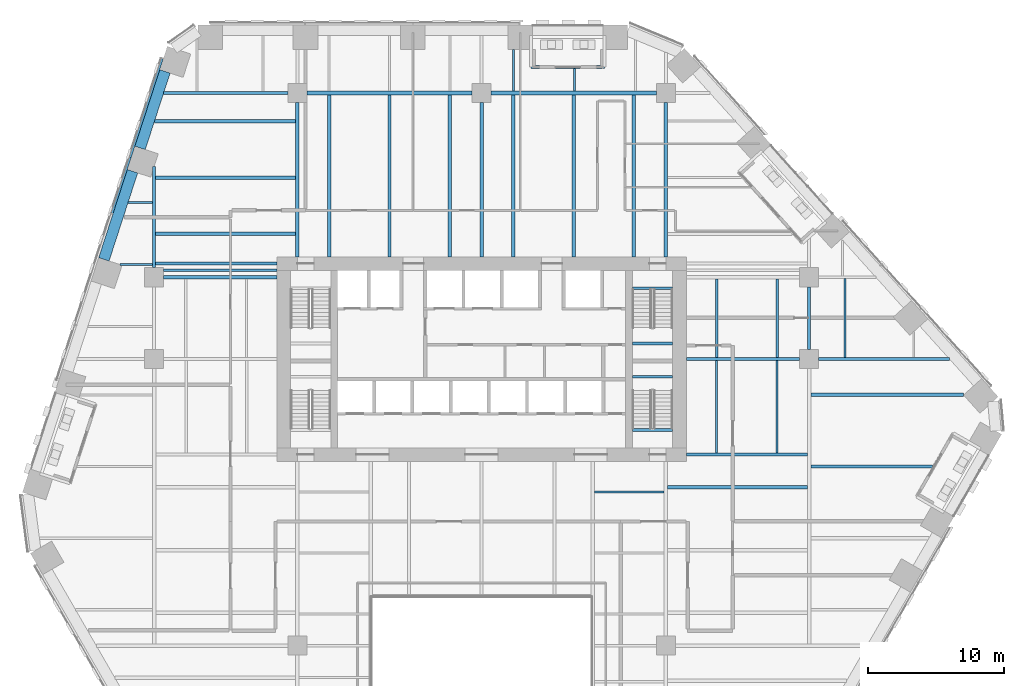
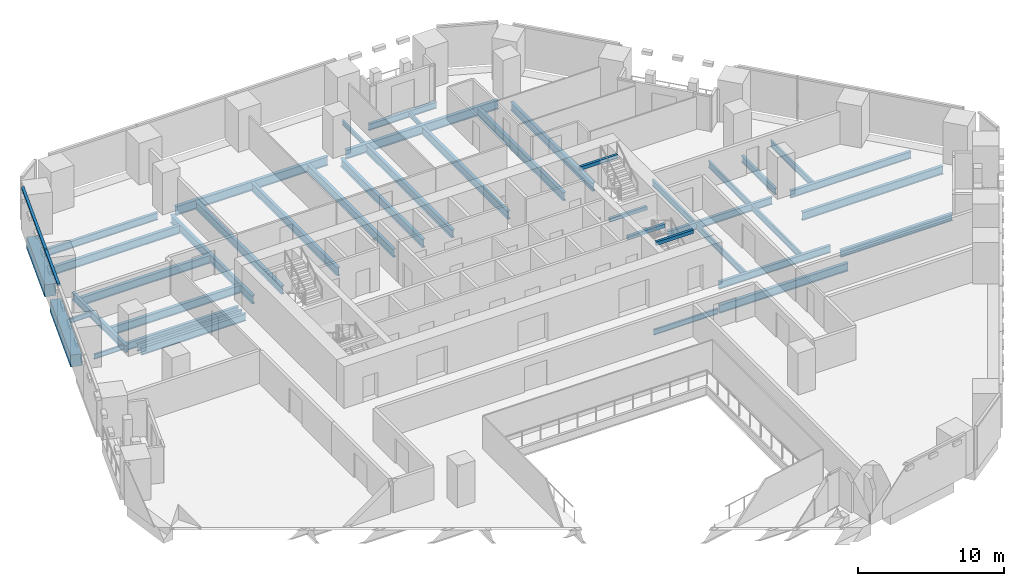
# One storey, part 10 of 31: 43 beams, 2 members, 1 element without a shape of its own.
"""IFC4 building model written with IfcOpenShell, lengths in metres."""

from ifc_helpers import new_model, si_unit, direction, frame, origin, origin_2d, place, context, subcontext, project, spatial, rectangle, i_section, extrude, material, layer, layer_set, material_profile, profile_set, type_object, element, aggregate, save


model = new_model("IFC4")

# Units and contexts
model_context = context("Model", 3, precision=1e-05, world=origin(), true_north=direction((0.0, 1.0)))
body_context = subcontext(model_context, "Body", "Model", "MODEL_VIEW")
ifc_project = project(units=[si_unit("LENGTHUNIT", "METRE"), si_unit("AREAUNIT", "SQUARE_METRE"), si_unit("VOLUMEUNIT", "CUBIC_METRE"), si_unit("PLANEANGLEUNIT", "RADIAN"), si_unit("MASSUNIT", "GRAM", prefix="KILO")], contexts=[model_context])

# Site, building, storey
site_placement = place(None, origin())
site = spatial("IfcSite", under=ifc_project, at=site_placement, CompositionType="ELEMENT")
building_placement = place(site_placement, origin())
building = spatial("IfcBuilding", under=site, at=building_placement, Name="Isthmus Gate Tower", CompositionType="ELEMENT")
storey_placement = place(building_placement, frame((0.0, 0.0, 39.64990234375)))
storey = spatial("IfcBuildingStorey", under=building, at=storey_placement, Name="L07", CompositionType="ELEMENT", Elevation=39.64990234375)

# Curtain wall, members
ifc_material_1 = material(Name="Aluminium, pale champagne anodised", Category="aluminium")
ifc_layer = layer(ifc_material_1, 0.199951171875)
ifc_layer_set = layer_set([ifc_layer], Name="CW-1 UNITISED CURTAIN WALL 200 DEEP")
curtain_wall_type = type_object("IfcCurtainWallType", Name="CW-1 UNITISED CURTAIN WALL 200 DEEP", PredefinedType="NOTDEFINED", material=ifc_layer_set)
curtain_wall_placement = place(storey_placement, origin())
curtain_wall = element("IfcCurtainWall", 1, at=curtain_wall_placement, inside=storey, type_object=curtain_wall_type, Name="CW-1 NW L07", PredefinedType="NOTDEFINED")
ifc_material_2 = material(Name="Aluminium, pale champagne anodised", Category="aluminium")
ifc_material_profile_1 = material_profile(ifc_material_2, rectangle(XDim=0.199951171875, YDim=0.14990234375, at=origin_2d()), Name="200x150")
ifc_profile_set_1 = profile_set([ifc_material_profile_1], Name="Aluminium, pale champagne anodised")
member_type = type_object("IfcMemberType", Name="CW-1 TRANSOM 200 X 150", PredefinedType="USERDEFINED", material=ifc_profile_set_1)
member_1_placement = place(storey_placement, frame((-23.4208984375, 29.532958984375, 3.5751953125), z_axis=(-0.309018780445, -0.951055935964, 0.0), x_axis=(0.951055935964, -0.309018780445, 0.0)))
member_1 = element("IfcMember", 2, at=member_1_placement, type_object=member_type, Name="CW-1 transom", ObjectType="TRANSOM", PredefinedType="USERDEFINED", context=body_context, shape_type="SweptSolid", body=[
    extrude(rectangle(XDim=0.199951171875, YDim=0.14990234375, at=origin_2d()), origin(), (0.0, 0.0, 1.0), 7.629638671875),
])
member_2_placement = place(storey_placement, frame((-25.778564453125, 22.27685546875, 3.5751953125), z_axis=(-0.309021801109, -0.951054954479, 0.0), x_axis=(0.951054954479, -0.309021801109, 0.0)))
member_2 = element("IfcMember", 3, at=member_2_placement, type_object=member_type, Name="CW-1 transom", ObjectType="TRANSOM", PredefinedType="USERDEFINED", context=body_context, shape_type="SweptSolid", body=[
    extrude(rectangle(XDim=0.199951171875, YDim=0.14990234375, at=origin_2d()), origin(), (0.0, 0.0, 1.0), 4.294677734375),
])
aggregate(curtain_wall, [member_1, member_2])

# Beams
ifc_material_3 = material(Name="Concrete f'c 70 MPa", Category="concrete")
ifc_material_profile_2 = material_profile(ifc_material_3, rectangle(XDim=0.800048828125, YDim=1.0, at=origin_2d()), Name="RC 800X1000")
ifc_profile_set_2 = profile_set([ifc_material_profile_2], Name="Concrete f'c 70 MPa")
beam_type_1 = type_object("IfcBeamType", Name="RC SPANDREL 800 X 1000", PredefinedType="SPANDREL", material=ifc_profile_set_2)
beam_1_placement = place(storey_placement, frame((-27.67919921875, 14.809326171875, -0.5), z_axis=(0.309034033576, 0.951050979754, 0.0), x_axis=(-0.951050979754, 0.309034033576, 0.0)))
element("IfcBeam", 4, at=beam_1_placement, inside=storey, type_object=beam_type_1, Name="str-spandrel-L07-20", PredefinedType="SPANDREL", context=body_context, shape_type="SweptSolid", body=[
    extrude(rectangle(XDim=0.800048828125, YDim=1.0, at=origin_2d()), origin(), (0.0, 0.0, 1.0), 6.789306640625),
])
beam_2_placement = place(storey_placement, frame((-25.02490234375, 22.978271484375, -0.5), z_axis=(0.309042953764, 0.951048081187, 0.0), x_axis=(-0.951048081187, 0.309042953764, 0.0)))
element("IfcBeam", 5, at=beam_2_placement, inside=storey, type_object=beam_type_1, Name="str-spandrel-L07-21", PredefinedType="SPANDREL", context=body_context, shape_type="SweptSolid", body=[
    extrude(rectangle(XDim=0.800048828125, YDim=1.0, at=origin_2d()), origin(), (0.0, 0.0, 1.0), 5.889404296875),
])
ifc_material_4 = material(Name="Concrete f'c 40 MPa", Category="concrete")
ifc_material_profile_3 = material_profile(ifc_material_4, rectangle(XDim=0.199951171875, YDim=0.300048828125, at=origin_2d()), Name="STAIR LANDING BEAM RC 200 X 300")
ifc_profile_set_3 = profile_set([ifc_material_profile_3], Name="Concrete f'c 40 MPa")
beam_type_2 = type_object("IfcBeamType", Name="STAIR LANDING BEAM RC 200 X 300", PredefinedType="BEAM", material=ifc_profile_set_3)
for number, where, z_axis, x_axis, name in (
    (6, (11.050048828125, 8.64990234375, 1.47509765625), (1.0, 0.0, 0.0), (0.0, 1.0, 0.0), "L07 ST2 landing beam 1"),
    (7, (11.050048828125, 12.7001953125, 3.35009765625), (1.0, 0.0, 0.0), (0.0, 1.0, 0.0), "L07 ST2 floor-edge seat beam"),
    (8, (11.050048828125, 6.199951171875, 1.47509765625), (1.0, 0.0, 0.0), (0.0, 1.0, 0.0), "L07 ST8 landing beam 1"),
    (9, (11.050048828125, 2.2998046875, 3.35009765625), (1.0, 0.0, 0.0), (0.0, 1.0, 0.0), "L07 ST8 floor-edge seat beam"),
):
    element("IfcBeam", number, at=place(storey_placement, frame(where, z_axis=z_axis, x_axis=x_axis)), inside=storey, type_object=beam_type_2, Name=name, PredefinedType="BEAM", context=body_context, shape_type="SweptSolid", body=[
        extrude(rectangle(XDim=0.199951171875, YDim=0.300048828125, at=origin_2d()), origin(), (0.0, 0.0, 1.0), 2.949951171875),
    ])
ifc_material_5 = material(Name="Structural steel ASTM A992 Gr 50", Category="steel")
ifc_material_profile_4 = material_profile(ifc_material_5, i_section(OverallWidth=0.1396484375, OverallDepth=0.4033203125, WebThickness=0.00634765625, FlangeThickness=0.010986328125, at=origin_2d()), Name="W16X31")
ifc_profile_set_4 = profile_set([ifc_material_profile_4], Name="Structural steel ASTM A992 Gr 50")
beam_type_3 = type_object("IfcBeamType", Name="STEEL FLOOR BEAM W16X31", PredefinedType="JOIST", material=ifc_profile_set_4)
beam_3_placement = place(storey_placement, frame((-26.503662109375, 14.427490234375, -0.3515625), z_axis=(1.0, 0.0, 0.0), x_axis=(0.0, 1.0, 0.0)))
element("IfcBeam", 10, at=beam_3_placement, inside=storey, type_object=beam_type_3, Name="str-beam-L07-02-01", PredefinedType="JOIST", context=body_context, shape_type="SweptSolid", body=[
    extrude(i_section(OverallWidth=0.1396484375, OverallDepth=0.4033203125, WebThickness=0.00634765625, FlangeThickness=0.010986328125, at=origin_2d()), origin(), (0.0, 0.0, 1.0), 2.389404296875),
])
beam_4_placement = place(storey_placement, frame((-25.90478515625, 18.975830078125, -0.3515625), z_axis=(1.0, 0.0, 0.0), x_axis=(0.0, 1.0, 0.0)))
element("IfcBeam", 11, at=beam_4_placement, inside=storey, type_object=beam_type_3, Name="str-beam-L07-02-02", PredefinedType="JOIST", context=body_context, shape_type="SweptSolid", body=[
    extrude(i_section(OverallWidth=0.1396484375, OverallDepth=0.4033203125, WebThickness=0.00634765625, FlangeThickness=0.010986328125, at=origin_2d()), origin(), (0.0, 0.0, 1.0), 1.79052734375),
])
beam_5_placement = place(storey_placement, frame((2.33740234375, 27.1318359375, -0.3515625), z_axis=(0.0, 1.0, 0.0), x_axis=(-1.0, 0.0, 0.0)))
element("IfcBeam", 12, at=beam_5_placement, inside=storey, type_object=beam_type_3, Name="str-beam-L07-24-00", PredefinedType="JOIST", context=body_context, shape_type="SweptSolid", body=[
    extrude(i_section(OverallWidth=0.1396484375, OverallDepth=0.4033203125, WebThickness=0.00634765625, FlangeThickness=0.010986328125, at=origin_2d()), origin(), (0.0, 0.0, 1.0), 3.068115234375),
])
beam_6_placement = place(storey_placement, frame((6.802490234375, 27.1318359375, -0.3515625), z_axis=(0.0, 1.0, 0.0), x_axis=(-1.0, 0.0, 0.0)))
element("IfcBeam", 13, at=beam_6_placement, inside=storey, type_object=beam_type_3, Name="str-beam-L07-24-01", PredefinedType="JOIST", context=body_context, shape_type="SweptSolid", body=[
    extrude(i_section(OverallWidth=0.1396484375, OverallDepth=0.4033203125, WebThickness=0.00634765625, FlangeThickness=0.010986328125, at=origin_2d()), origin(), (0.0, 0.0, 1.0), 1.65869140625),
])
ifc_material_6 = material(Name="Structural steel ASTM A992 Gr 50", Category="steel")
ifc_material_profile_5 = material_profile(ifc_material_6, i_section(OverallWidth=0.15234375, OverallDepth=0.45068359375, WebThickness=0.0078125, FlangeThickness=0.010986328125, at=origin_2d()), Name="W18X35")
ifc_profile_set_5 = profile_set([ifc_material_profile_5], Name="Structural steel ASTM A992 Gr 50")
beam_type_4 = type_object("IfcBeamType", Name="STEEL FLOOR BEAM W18X35", PredefinedType="JOIST", material=ifc_profile_set_5)
beam_7_placement = place(storey_placement, frame((8.263427734375, -2.232421875, -0.375244140625), z_axis=(1.0, 0.0, 0.0), x_axis=(0.0, 1.0, 0.0)))
element("IfcBeam", 14, at=beam_7_placement, inside=storey, type_object=beam_type_4, Name="str-beam-L07-27-02", PredefinedType="JOIST", context=body_context, shape_type="SweptSolid", body=[
    extrude(i_section(OverallWidth=0.15234375, OverallDepth=0.45068359375, WebThickness=0.0078125, FlangeThickness=0.010986328125, at=origin_2d()), origin(), (0.0, 0.0, 1.0), 5.104736328125),
])
ifc_material_7 = material(Name="Structural steel ASTM A992 Gr 50", Category="steel")
ifc_material_profile_6 = material_profile(ifc_material_7, i_section(OverallWidth=0.1650390625, OverallDepth=0.52392578125, WebThickness=0.009521484375, FlangeThickness=0.010986328125, at=origin_2d()), Name="W21X44")
ifc_profile_set_6 = profile_set([ifc_material_profile_6], Name="Structural steel ASTM A992 Gr 50")
beam_type_5 = type_object("IfcBeamType", Name="STEEL FLOOR BEAM W21X44", PredefinedType="JOIST", material=ifc_profile_set_6)
for number, where, z_axis, x_axis, name in (
    (15, (17.223876953125, 7.6142578125, -0.411865234375), (0.0, 1.0, 0.0), (-1.0, 0.0, 0.0), "str-beam-L07-35-00"),
    (16, (21.67138671875, 7.6142578125, -0.411865234375), (0.0, 1.0, 0.0), (-1.0, 0.0, 0.0), "str-beam-L07-35-01"),
):
    element("IfcBeam", number, at=place(storey_placement, frame(where, z_axis=z_axis, x_axis=x_axis)), inside=storey, type_object=beam_type_5, Name=name, PredefinedType="JOIST", context=body_context, shape_type="SweptSolid", body=[
        extrude(i_section(OverallWidth=0.1650390625, OverallDepth=0.52392578125, WebThickness=0.009521484375, FlangeThickness=0.010986328125, at=origin_2d()), origin(), (0.0, 0.0, 1.0), 5.771484375),
    ])
for number, where, z_axis, x_axis, name in (
    (17, (17.216552734375, 0.6142578125, -0.411865234375), (0.0, 1.0, 0.0), (-1.0, 0.0, 0.0), "str-beam-L07-36-00"),
    (18, (21.64990234375, 0.6142578125, -0.411865234375), (0.0, 1.0, 0.0), (-1.0, 0.0, 0.0), "str-beam-L07-36-01"),
):
    element("IfcBeam", number, at=place(storey_placement, frame(where, z_axis=z_axis, x_axis=x_axis)), inside=storey, type_object=beam_type_5, Name=name, PredefinedType="JOIST", context=body_context, shape_type="SweptSolid", body=[
        extrude(i_section(OverallWidth=0.1650390625, OverallDepth=0.52392578125, WebThickness=0.009521484375, FlangeThickness=0.010986328125, at=origin_2d()), origin(), (0.0, 0.0, 1.0), 6.771484375),
    ])
beam_8_placement = place(storey_placement, frame((26.625244140625, 7.6142578125, -0.411865234375), z_axis=(0.0, 1.0, 0.0), x_axis=(-1.0, 0.0, 0.0)))
element("IfcBeam", 19, at=beam_8_placement, inside=storey, type_object=beam_type_5, Name="str-beam-L07-40-00", PredefinedType="JOIST", context=body_context, shape_type="SweptSolid", body=[
    extrude(i_section(OverallWidth=0.1650390625, OverallDepth=0.52392578125, WebThickness=0.009521484375, FlangeThickness=0.010986328125, at=origin_2d()), origin(), (0.0, 0.0, 1.0), 5.781005859375),
])
ifc_material_8 = material(Name="Structural steel ASTM A992 Gr 50", Category="steel")
ifc_material_profile_7 = material_profile(ifc_material_8, i_section(OverallWidth=0.177734375, OverallDepth=0.60009765625, WebThickness=0.009521484375, FlangeThickness=0.0126953125, at=origin_2d()), Name="W24X55")
ifc_profile_set_7 = profile_set([ifc_material_profile_7], Name="Structural steel ASTM A992 Gr 50")
beam_type_6 = type_object("IfcBeamType", Name="STEEL FLOOR BEAM W24X55", PredefinedType="JOIST", material=ifc_profile_set_7)
beam_9_placement = place(storey_placement, frame((-23.300048828125, 14.0, -0.449951171875), z_axis=(1.0, 0.0, 0.0), x_axis=(0.0, 1.0, 0.0)))
element("IfcBeam", 20, at=beam_9_placement, inside=storey, type_object=beam_type_6, Name="str-beam-L07-06-00", PredefinedType="JOIST", context=body_context, shape_type="SweptSolid", body=[
    extrude(i_section(OverallWidth=0.177734375, OverallDepth=0.60009765625, WebThickness=0.009521484375, FlangeThickness=0.0126953125, at=origin_2d()), origin(), (0.0, 0.0, 1.0), 8.300048828125),
])
ifc_material_9 = material(Name="Structural steel ASTM A992 Gr 50", Category="steel")
ifc_material_profile_8 = material_profile(ifc_material_9, i_section(OverallWidth=0.228515625, OverallDepth=0.603271484375, WebThickness=0.010986328125, FlangeThickness=0.014404296875, at=origin_2d()), Name="W24X68")
ifc_profile_set_8 = profile_set([ifc_material_profile_8], Name="Structural steel ASTM A992 Gr 50")
beam_type_7 = type_object("IfcBeamType", Name="STEEL FLOOR BEAM W24X68", PredefinedType="JOIST", material=ifc_profile_set_8)
beam_10_placement = place(storey_placement, frame((24.13330078125, -0.375, -0.451416015625), z_axis=(1.0, 0.0, 0.0), x_axis=(0.0, 1.0, 0.0)))
element("IfcBeam", 21, at=beam_10_placement, inside=storey, type_object=beam_type_7, Name="str-beam-L07-41-02", PredefinedType="JOIST", context=body_context, shape_type="SweptSolid", body=[
    extrude(i_section(OverallWidth=0.228515625, OverallDepth=0.603271484375, WebThickness=0.010986328125, FlangeThickness=0.014404296875, at=origin_2d()), origin(), (0.0, 0.0, 1.0), 8.89453125),
])
ifc_material_10 = material(Name="Structural steel ASTM A992 Gr 50", Category="steel")
ifc_material_profile_9 = material_profile(ifc_material_10, i_section(OverallWidth=0.25390625, OverallDepth=0.679443359375, WebThickness=0.010986328125, FlangeThickness=0.015869140625, at=origin_2d()), Name="W27X84")
ifc_profile_set_9 = profile_set([ifc_material_profile_9], Name="Structural steel ASTM A992 Gr 50")
beam_type_8 = type_object("IfcBeamType", Name="STEEL FLOOR BEAM W27X84", PredefinedType="JOIST", material=ifc_profile_set_9)
for number, where, z_axis, x_axis, name in (
    (22, (-23.8857421875, 16.678466796875, -0.489501953125), (1.0, 0.0, 0.0), (0.0, 1.0, 0.0), "str-beam-L07-07-00"),
    (23, (-23.8857421875, 20.80712890625, -0.489501953125), (1.0, 0.0, 0.0), (0.0, 1.0, 0.0), "str-beam-L07-07-01"),
):
    element("IfcBeam", number, at=place(storey_placement, frame(where, z_axis=z_axis, x_axis=x_axis)), inside=storey, type_object=beam_type_8, Name=name, PredefinedType="JOIST", context=body_context, shape_type="SweptSolid", body=[
        extrude(i_section(OverallWidth=0.25390625, OverallDepth=0.679443359375, WebThickness=0.010986328125, FlangeThickness=0.015869140625, at=origin_2d()), origin(), (0.0, 0.0, 1.0), 10.2587890625),
    ])
beam_11_placement = place(storey_placement, frame((-23.96826171875, 24.935791015625, -0.489501953125), z_axis=(1.0, 0.0, 0.0), x_axis=(0.0, 1.0, 0.0)))
element("IfcBeam", 24, at=beam_11_placement, inside=storey, type_object=beam_type_8, Name="str-beam-L07-07-02", PredefinedType="JOIST", context=body_context, shape_type="SweptSolid", body=[
    extrude(i_section(OverallWidth=0.25390625, OverallDepth=0.679443359375, WebThickness=0.010986328125, FlangeThickness=0.015869140625, at=origin_2d()), origin(), (0.0, 0.0, 1.0), 10.34130859375),
])
for number, where, z_axis, x_axis, name in (
    (25, (-11.165283203125, 15.0, -0.489501953125), (0.0, 1.0, 0.0), (-1.0, 0.0, 0.0), "str-beam-L07-15-00"),
    (26, (-6.75, 15.0, -0.489501953125), (0.0, 1.0, 0.0), (-1.0, 0.0, 0.0), "str-beam-L07-15-01"),
    (27, (-2.334716796875, 15.0, -0.489501953125), (0.0, 1.0, 0.0), (-1.0, 0.0, 0.0), "str-beam-L07-15-02"),
    (28, (2.334716796875, 15.0, -0.489501953125), (0.0, 1.0, 0.0), (-1.0, 0.0, 0.0), "str-beam-L07-25-00"),
    (29, (6.75, 15.0, -0.489501953125), (0.0, 1.0, 0.0), (-1.0, 0.0, 0.0), "str-beam-L07-25-01"),
    (30, (11.165283203125, 15.0, -0.489501953125), (0.0, 1.0, 0.0), (-1.0, 0.0, 0.0), "str-beam-L07-25-02"),
):
    element("IfcBeam", number, at=place(storey_placement, frame(where, z_axis=z_axis, x_axis=x_axis)), inside=storey, type_object=beam_type_8, Name=name, PredefinedType="JOIST", context=body_context, shape_type="SweptSolid", body=[
        extrude(i_section(OverallWidth=0.25390625, OverallDepth=0.679443359375, WebThickness=0.010986328125, FlangeThickness=0.015869140625, at=origin_2d()), origin(), (0.0, 0.0, 1.0), 11.8681640625),
    ])
beam_12_placement = place(storey_placement, frame((13.6318359375, -1.90625, -0.489501953125), z_axis=(1.0, 0.0, 0.0), x_axis=(0.0, 1.0, 0.0)))
element("IfcBeam", 31, at=beam_12_placement, inside=storey, type_object=beam_type_8, Name="str-beam-L07-32-02", PredefinedType="JOIST", context=body_context, shape_type="SweptSolid", body=[
    extrude(i_section(OverallWidth=0.25390625, OverallDepth=0.679443359375, WebThickness=0.010986328125, FlangeThickness=0.015869140625, at=origin_2d()), origin(), (0.0, 0.0, 1.0), 10.23486328125),
])
beam_13_placement = place(storey_placement, frame((24.13330078125, 4.875, -0.489501953125), z_axis=(1.0, 0.0, 0.0), x_axis=(0.0, 1.0, 0.0)))
element("IfcBeam", 32, at=beam_13_placement, inside=storey, type_object=beam_type_8, Name="str-beam-L07-41-03", PredefinedType="JOIST", context=body_context, shape_type="SweptSolid", body=[
    extrude(i_section(OverallWidth=0.25390625, OverallDepth=0.679443359375, WebThickness=0.010986328125, FlangeThickness=0.015869140625, at=origin_2d()), origin(), (0.0, 0.0, 1.0), 11.185302734375),
])
ifc_material_11 = material(Name="Structural steel ASTM A992 Gr 50", Category="steel")
ifc_material_profile_10 = material_profile(ifc_material_11, i_section(OverallWidth=0.20947265625, OverallDepth=0.533447265625, WebThickness=0.009521484375, FlangeThickness=0.015869140625, at=origin_2d()), Name="W21X62")
ifc_profile_set_10 = profile_set([ifc_material_profile_10], Name="Structural steel ASTM A992 Gr 50")
beam_type_9 = type_object("IfcBeamType", Name="STEEL GIRDER W21X62", PredefinedType="BEAM", material=ifc_profile_set_10)
beam_14_placement = place(storey_placement, frame((24.0, 8.199951171875, -0.41650390625), z_axis=(0.0, 1.0, 0.0), x_axis=(-1.0, 0.0, 0.0)))
element("IfcBeam", 33, at=beam_14_placement, inside=storey, type_object=beam_type_9, Name="str-girder-L07-36", PredefinedType="BEAM", context=body_context, shape_type="SweptSolid", body=[
    extrude(i_section(OverallWidth=0.20947265625, OverallDepth=0.533447265625, WebThickness=0.009521484375, FlangeThickness=0.015869140625, at=origin_2d()), origin(), (0.0, 0.0, 1.0), 4.60009765625),
])
ifc_material_12 = material(Name="Structural steel ASTM A992 Gr 50", Category="steel")
ifc_material_profile_11 = material_profile(ifc_material_12, i_section(OverallWidth=0.228515625, OverallDepth=0.603271484375, WebThickness=0.010986328125, FlangeThickness=0.014404296875, at=origin_2d()), Name="W24X68")
ifc_profile_set_11 = profile_set([ifc_material_profile_11], Name="Structural steel ASTM A992 Gr 50")
beam_type_10 = type_object("IfcBeamType", Name="STEEL GIRDER W24X68", PredefinedType="BEAM", material=ifc_profile_set_11)
beam_15_placement = place(storey_placement, frame((-24.0, 14.199951171875, -0.451416015625), z_axis=(0.0, 1.0, 0.0), x_axis=(-1.0, 0.0, 0.0)))
element("IfcBeam", 34, at=beam_15_placement, inside=storey, type_object=beam_type_10, Name="str-girder-L07-22", PredefinedType="BEAM", context=body_context, shape_type="SweptSolid", body=[
    extrude(i_section(OverallWidth=0.228515625, OverallDepth=0.603271484375, WebThickness=0.010986328125, FlangeThickness=0.014404296875, at=origin_2d()), origin(), (0.0, 0.0, 1.0), 7.402099609375),
])
ifc_material_13 = material(Name="Structural steel ASTM A992 Gr 50", Category="steel")
ifc_material_profile_12 = material_profile(ifc_material_13, i_section(OverallWidth=0.228515625, OverallDepth=0.6064453125, WebThickness=0.010986328125, FlangeThickness=0.017578125, at=origin_2d()), Name="W24X76")
ifc_profile_set_12 = profile_set([ifc_material_profile_12], Name="Structural steel ASTM A992 Gr 50")
beam_type_11 = type_object("IfcBeamType", Name="STEEL GIRDER W24X76", PredefinedType="BEAM", material=ifc_profile_set_12)
beam_16_placement = place(storey_placement, frame((15.0, 7.5, -0.453125), z_axis=(1.0, 0.0, 0.0), x_axis=(0.0, 1.0, 0.0)))
element("IfcBeam", 35, at=beam_16_placement, inside=storey, type_object=beam_type_11, Name="str-girder-L07-11", PredefinedType="BEAM", context=body_context, shape_type="SweptSolid", body=[
    extrude(i_section(OverallWidth=0.228515625, OverallDepth=0.6064453125, WebThickness=0.010986328125, FlangeThickness=0.017578125, at=origin_2d()), origin(), (0.0, 0.0, 1.0), 8.300048828125),
])
beam_17_placement = place(storey_placement, frame((24.699951171875, 7.5, -0.453125), z_axis=(1.0, 0.0, 0.0), x_axis=(0.0, 1.0, 0.0)))
element("IfcBeam", 36, at=beam_17_placement, inside=storey, type_object=beam_type_11, Name="str-girder-L07-12", PredefinedType="BEAM", context=body_context, shape_type="SweptSolid", body=[
    extrude(i_section(OverallWidth=0.228515625, OverallDepth=0.6064453125, WebThickness=0.010986328125, FlangeThickness=0.017578125, at=origin_2d()), origin(), (0.0, 0.0, 1.0), 9.58984375),
])
beam_18_placement = place(storey_placement, frame((-23.300048828125, 13.5, -0.453125), z_axis=(1.0, 0.0, 0.0), x_axis=(0.0, 1.0, 0.0)))
element("IfcBeam", 37, at=beam_18_placement, inside=storey, type_object=beam_type_11, Name="str-girder-L07-13", PredefinedType="BEAM", context=body_context, shape_type="SweptSolid", body=[
    extrude(i_section(OverallWidth=0.228515625, OverallDepth=0.6064453125, WebThickness=0.010986328125, FlangeThickness=0.017578125, at=origin_2d()), origin(), (0.0, 0.0, 1.0), 8.300048828125),
])
beam_19_placement = place(storey_placement, frame((-23.297607421875, 27.0, -0.453125), z_axis=(1.0, 0.0, 0.0), x_axis=(0.0, 1.0, 0.0)))
element("IfcBeam", 38, at=beam_19_placement, inside=storey, type_object=beam_type_11, Name="str-girder-L07-16", PredefinedType="BEAM", context=body_context, shape_type="SweptSolid", body=[
    extrude(i_section(OverallWidth=0.228515625, OverallDepth=0.6064453125, WebThickness=0.010986328125, FlangeThickness=0.017578125, at=origin_2d()), origin(), (0.0, 0.0, 1.0), 9.09765625),
])
beam_20_placement = place(storey_placement, frame((15.0, 0.5, -0.453125), z_axis=(1.0, 0.0, 0.0), x_axis=(0.0, 1.0, 0.0)))
element("IfcBeam", 39, at=beam_20_placement, inside=storey, type_object=beam_type_11, Name="str-girder-L07-39", PredefinedType="BEAM", context=body_context, shape_type="SweptSolid", body=[
    extrude(i_section(OverallWidth=0.228515625, OverallDepth=0.6064453125, WebThickness=0.010986328125, FlangeThickness=0.017578125, at=origin_2d()), origin(), (0.0, 0.0, 1.0), 8.86669921875),
])
beam_21_placement = place(storey_placement, frame((-15.0, 14.5, -0.453125), z_axis=(-1.0, 0.0, 0.0), x_axis=(0.0, -1.0, 0.0)))
element("IfcBeam", 40, at=beam_21_placement, inside=storey, type_object=beam_type_11, Name="str-girder-L07-40", PredefinedType="BEAM", context=body_context, shape_type="SweptSolid", body=[
    extrude(i_section(OverallWidth=0.228515625, OverallDepth=0.6064453125, WebThickness=0.010986328125, FlangeThickness=0.017578125, at=origin_2d()), origin(), (0.0, 0.0, 1.0), 8.8857421875),
])
ifc_material_14 = material(Name="Structural steel ASTM A992 Gr 50", Category="steel")
ifc_material_profile_13 = material_profile(ifc_material_14, i_section(OverallWidth=0.25390625, OverallDepth=0.679443359375, WebThickness=0.010986328125, FlangeThickness=0.015869140625, at=origin_2d()), Name="W27X84")
ifc_profile_set_13 = profile_set([ifc_material_profile_13], Name="Structural steel ASTM A992 Gr 50")
beam_type_12 = type_object("IfcBeamType", Name="STEEL GIRDER W27X84", PredefinedType="BEAM", material=ifc_profile_set_13)
for number, where, z_axis, x_axis, name in (
    (41, (-13.5, 15.0, -0.489501953125), (0.0, 1.0, 0.0), (-1.0, 0.0, 0.0), "str-girder-L07-26"),
    (42, (0.0, 15.0, -0.489501953125), (0.0, 1.0, 0.0), (-1.0, 0.0, 0.0), "str-girder-L07-29"),
    (43, (13.5, 15.0, -0.489501953125), (0.0, 1.0, 0.0), (-1.0, 0.0, 0.0), "str-girder-L07-33"),
):
    element("IfcBeam", number, at=place(storey_placement, frame(where, z_axis=z_axis, x_axis=x_axis)), inside=storey, type_object=beam_type_12, Name=name, PredefinedType="BEAM", context=body_context, shape_type="SweptSolid", body=[
        extrude(i_section(OverallWidth=0.25390625, OverallDepth=0.679443359375, WebThickness=0.010986328125, FlangeThickness=0.015869140625, at=origin_2d()), origin(), (0.0, 0.0, 1.0), 11.300048828125),
    ])
ifc_material_15 = material(Name="Structural steel ASTM A992 Gr 50", Category="steel")
ifc_material_profile_14 = material_profile(ifc_material_15, i_section(OverallWidth=0.263427734375, OverallDepth=0.749267578125, WebThickness=0.0126953125, FlangeThickness=0.015869140625, at=origin_2d()), Name="W30X90")
ifc_profile_set_14 = profile_set([ifc_material_profile_14], Name="Structural steel ASTM A992 Gr 50")
beam_type_13 = type_object("IfcBeamType", Name="STEEL GIRDER W30X90", PredefinedType="BEAM", material=ifc_profile_set_14)
for number, where, z_axis, x_axis, name in (
    (44, (-12.800048828125, 27.0, -0.524658203125), (1.0, 0.0, 0.0), (0.0, 1.0, 0.0), "str-girder-L07-17"),
    (45, (0.699951171875, 27.0, -0.524658203125), (1.0, 0.0, 0.0), (0.0, 1.0, 0.0), "str-girder-L07-18"),
):
    element("IfcBeam", number, at=place(storey_placement, frame(where, z_axis=z_axis, x_axis=x_axis)), inside=storey, type_object=beam_type_13, Name=name, PredefinedType="BEAM", context=body_context, shape_type="SweptSolid", body=[
        extrude(i_section(OverallWidth=0.263427734375, OverallDepth=0.749267578125, WebThickness=0.0126953125, FlangeThickness=0.015869140625, at=origin_2d()), origin(), (0.0, 0.0, 1.0), 12.10009765625),
    ])
ifc_material_16 = material(Name="Structural steel ASTM A992 Gr 50", Category="steel")
ifc_material_profile_15 = material_profile(ifc_material_16, i_section(OverallWidth=0.20947265625, OverallDepth=0.533447265625, WebThickness=0.009521484375, FlangeThickness=0.015869140625, at=origin_2d()), Name="W21X62")
ifc_profile_set_15 = profile_set([ifc_material_profile_15], Name="Structural steel ASTM A992 Gr 50")
beam_type_14 = type_object("IfcBeamType", Name="STEEL TRIMMER W21X62", PredefinedType="BEAM", material=ifc_profile_set_15)
beam_22_placement = place(storey_placement, frame((9.006591796875, 28.895263671875, -0.41650390625), z_axis=(-1.0, 0.0, 0.0), x_axis=(0.0, -1.0, 0.0)))
element("IfcBeam", 46, at=beam_22_placement, inside=storey, type_object=beam_type_14, Name="str-loggiatrim-L07-01-B", PredefinedType="BEAM", context=body_context, shape_type="SweptSolid", body=[
    extrude(i_section(OverallWidth=0.20947265625, OverallDepth=0.533447265625, WebThickness=0.009521484375, FlangeThickness=0.015869140625, at=origin_2d()), origin(), (0.0, 0.0, 1.0), 5.37890625),
])

save(model, "model.ifc")
